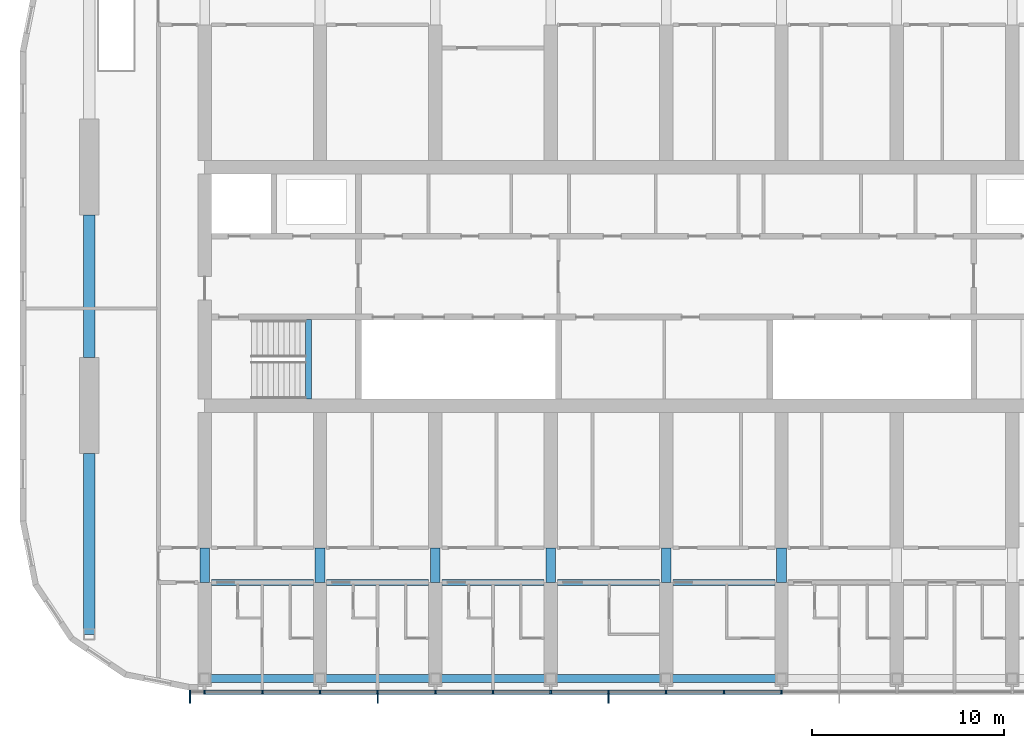
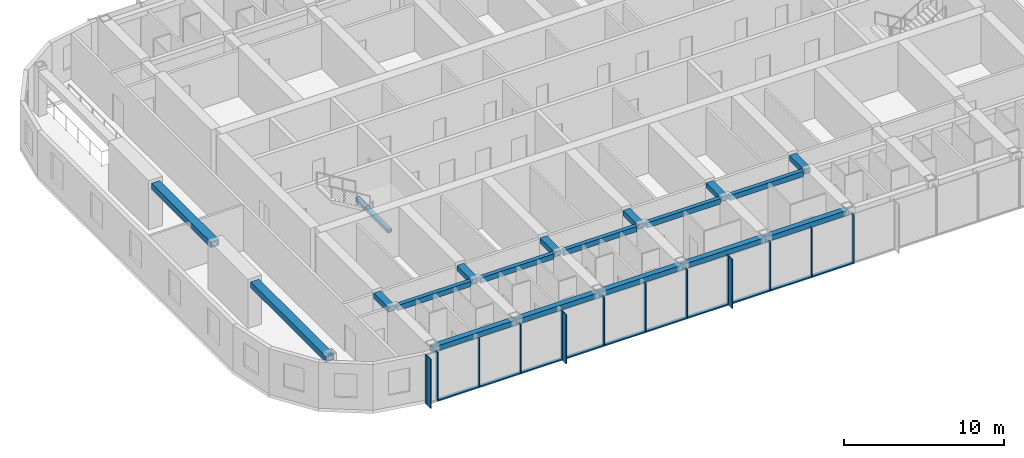
# One storey, part 2 of 24: 25 members, 19 beams, 1 element without a shape of its own.
"""IFC4 building model written with IfcOpenShell, lengths in metres."""

from ifc_helpers import new_model, si_unit, direction, frame, origin, origin_2d, place, context, subcontext, project, spatial, rectangle, hollow_rectangle, extrude, material, material_profile, profile_set, type_object, element, aggregate, save


model = new_model("IFC4")

# Units and contexts
model_context = context("Model", 3, precision=1e-05, world=origin(), true_north=direction((0.0, 1.0)))
body_context = subcontext(model_context, "Body", "Model", "MODEL_VIEW")
ifc_project = project(units=[si_unit("LENGTHUNIT", "METRE"), si_unit("AREAUNIT", "SQUARE_METRE"), si_unit("VOLUMEUNIT", "CUBIC_METRE"), si_unit("PLANEANGLEUNIT", "RADIAN"), si_unit("MASSUNIT", "GRAM", prefix="KILO")], contexts=[model_context])

# Site, building, storey
site_placement = place(None, origin())
site = spatial("IfcSite", under=ifc_project, at=site_placement, CompositionType="ELEMENT")
building_placement = place(site_placement, origin())
building = spatial("IfcBuilding", under=site, at=building_placement, Name="Orbita Commons", CompositionType="ELEMENT")
storey_placement = place(building_placement, frame((0.0, 0.0, 235.300048828125)))
storey = spatial("IfcBuildingStorey", under=building, at=storey_placement, Name="L58", CompositionType="ELEMENT", Elevation=235.300048828125)

# Curtain wall, members
ifc_material_1 = material(Name="Anodised aluminium frame, pale silver", Category="aluminium")
curtain_wall_type = type_object("IfcCurtainWallType", Name="Unitised curtain wall CW-U, full-height vision", PredefinedType="NOTDEFINED", material=ifc_material_1)
curtain_wall_placement = place(storey_placement, origin())
curtain_wall = element("IfcCurtainWall", 1, at=curtain_wall_placement, inside=storey, type_object=curtain_wall_type, Name="Curtain wall south L58", PredefinedType="NOTDEFINED")
ifc_material_2 = material(Name="Anodised aluminium, pale silver", Category="aluminium")
ifc_material_profile_1 = material_profile(ifc_material_2, rectangle(XDim=0.080078125, YDim=0.219970703125, at=origin_2d()), Name="AL 80x220")
ifc_profile_set_1 = profile_set([ifc_material_profile_1], Name="Anodised aluminium, pale silver")
member_type_1 = type_object("IfcMemberType", Name="Curtain wall mullion 80x220", PredefinedType="MULLION", material=ifc_profile_set_1)
member_1_placement = place(storey_placement, frame((17.239990234375, 10.889892578125, -0.25), z_axis=(0.0, 0.0, 1.0), x_axis=(1.0, 0.0, 0.0)))
member_1 = element("IfcMember", 2, at=member_1_placement, type_object=member_type_1, Name="Mullion 1 CW-L58-S", PredefinedType="MULLION", context=body_context, shape_type="SweptSolid", body=[
    extrude(rectangle(XDim=0.080078125, YDim=0.219970703125, at=origin_2d()), origin(), (0.0, 0.0, 1.0), 3.75),
])
member_2_placement = place(storey_placement, frame((18.0, 10.889892578125, -0.25), z_axis=(0.0, 0.0, 1.0), x_axis=(1.0, 0.0, 0.0)))
member_2 = element("IfcMember", 3, at=member_2_placement, type_object=member_type_1, Name="Mullion 2 CW-L58-S", PredefinedType="MULLION", context=body_context, shape_type="SweptSolid", body=[
    extrude(rectangle(XDim=0.080078125, YDim=0.219970703125, at=origin_2d()), origin(), (0.0, 0.0, 1.0), 3.75),
])
member_3_placement = place(storey_placement, frame((21.0, 10.889892578125, -0.25), z_axis=(0.0, 0.0, 1.0), x_axis=(1.0, 0.0, 0.0)))
member_3 = element("IfcMember", 4, at=member_3_placement, type_object=member_type_1, Name="Mullion 3 CW-L58-S", PredefinedType="MULLION", context=body_context, shape_type="SweptSolid", body=[
    extrude(rectangle(XDim=0.080078125, YDim=0.219970703125, at=origin_2d()), origin(), (0.0, 0.0, 1.0), 3.75),
])
member_4_placement = place(storey_placement, frame((24.0, 10.889892578125, -0.25), z_axis=(0.0, 0.0, 1.0), x_axis=(1.0, 0.0, 0.0)))
member_4 = element("IfcMember", 5, at=member_4_placement, type_object=member_type_1, Name="Mullion 4 CW-L58-S", PredefinedType="MULLION", context=body_context, shape_type="SweptSolid", body=[
    extrude(rectangle(XDim=0.080078125, YDim=0.219970703125, at=origin_2d()), origin(), (0.0, 0.0, 1.0), 3.75),
])
member_5_placement = place(storey_placement, frame((27.0, 10.889892578125, -0.25), z_axis=(0.0, 0.0, 1.0), x_axis=(1.0, 0.0, 0.0)))
member_5 = element("IfcMember", 6, at=member_5_placement, type_object=member_type_1, Name="Mullion 5 CW-L58-S", PredefinedType="MULLION", context=body_context, shape_type="SweptSolid", body=[
    extrude(rectangle(XDim=0.080078125, YDim=0.219970703125, at=origin_2d()), origin(), (0.0, 0.0, 1.0), 3.75),
])
member_6_placement = place(storey_placement, frame((30.0, 10.889892578125, -0.25), z_axis=(0.0, 0.0, 1.0), x_axis=(1.0, 0.0, 0.0)))
member_6 = element("IfcMember", 7, at=member_6_placement, type_object=member_type_1, Name="Mullion 6 CW-L58-S", PredefinedType="MULLION", context=body_context, shape_type="SweptSolid", body=[
    extrude(rectangle(XDim=0.080078125, YDim=0.219970703125, at=origin_2d()), origin(), (0.0, 0.0, 1.0), 3.75),
])
member_7_placement = place(storey_placement, frame((33.0, 10.889892578125, -0.25), z_axis=(0.0, 0.0, 1.0), x_axis=(1.0, 0.0, 0.0)))
member_7 = element("IfcMember", 8, at=member_7_placement, type_object=member_type_1, Name="Mullion 7 CW-L58-S", PredefinedType="MULLION", context=body_context, shape_type="SweptSolid", body=[
    extrude(rectangle(XDim=0.080078125, YDim=0.219970703125, at=origin_2d()), origin(), (0.0, 0.0, 1.0), 3.75),
])
member_8_placement = place(storey_placement, frame((36.0, 10.889892578125, -0.25), z_axis=(0.0, 0.0, 1.0), x_axis=(1.0, 0.0, 0.0)))
member_8 = element("IfcMember", 9, at=member_8_placement, type_object=member_type_1, Name="Mullion 8 CW-L58-S", PredefinedType="MULLION", context=body_context, shape_type="SweptSolid", body=[
    extrude(rectangle(XDim=0.080078125, YDim=0.219970703125, at=origin_2d()), origin(), (0.0, 0.0, 1.0), 3.75),
])
member_9_placement = place(storey_placement, frame((39.0, 10.889892578125, -0.25), z_axis=(0.0, 0.0, 1.0), x_axis=(1.0, 0.0, 0.0)))
member_9 = element("IfcMember", 10, at=member_9_placement, type_object=member_type_1, Name="Mullion 9 CW-L58-S", PredefinedType="MULLION", context=body_context, shape_type="SweptSolid", body=[
    extrude(rectangle(XDim=0.080078125, YDim=0.219970703125, at=origin_2d()), origin(), (0.0, 0.0, 1.0), 3.75),
])
member_10_placement = place(storey_placement, frame((42.0, 10.889892578125, -0.25), z_axis=(0.0, 0.0, 1.0), x_axis=(1.0, 0.0, 0.0)))
member_10 = element("IfcMember", 11, at=member_10_placement, type_object=member_type_1, Name="Mullion 10 CW-L58-S", PredefinedType="MULLION", context=body_context, shape_type="SweptSolid", body=[
    extrude(rectangle(XDim=0.080078125, YDim=0.219970703125, at=origin_2d()), origin(), (0.0, 0.0, 1.0), 3.75),
])
member_11_placement = place(storey_placement, frame((45.0, 10.889892578125, -0.25), z_axis=(0.0, 0.0, 1.0), x_axis=(1.0, 0.0, 0.0)))
member_11 = element("IfcMember", 12, at=member_11_placement, type_object=member_type_1, Name="Mullion 11 CW-L58-S", PredefinedType="MULLION", context=body_context, shape_type="SweptSolid", body=[
    extrude(rectangle(XDim=0.080078125, YDim=0.219970703125, at=origin_2d()), origin(), (0.0, 0.0, 1.0), 3.75),
])
member_12_placement = place(storey_placement, frame((48.0, 10.889892578125, -0.25), z_axis=(0.0, 0.0, 1.0), x_axis=(1.0, 0.0, 0.0)))
member_12 = element("IfcMember", 13, at=member_12_placement, type_object=member_type_1, Name="Mullion 12 CW-L58-S", PredefinedType="MULLION", context=body_context, shape_type="SweptSolid", body=[
    extrude(rectangle(XDim=0.080078125, YDim=0.219970703125, at=origin_2d()), origin(), (0.0, 0.0, 1.0), 3.75),
])
ifc_material_3 = material(Name="Anodised aluminium, pale silver", Category="aluminium")
ifc_material_profile_2 = material_profile(ifc_material_3, rectangle(XDim=0.219970703125, YDim=0.10009765625, at=origin_2d()), Name="AL 220x100")
ifc_profile_set_2 = profile_set([ifc_material_profile_2], Name="Anodised aluminium, pale silver")
member_type_2 = type_object("IfcMemberType", Name="Curtain wall stack transom 220x100", PredefinedType="USERDEFINED", material=ifc_profile_set_2)
member_13_placement = place(storey_placement, frame((18.0400390625, 10.889892578125, -0.199951171875), z_axis=(1.0, 0.0, 0.0), x_axis=(0.0, 1.0, 0.0)))
member_13 = element("IfcMember", 14, at=member_13_placement, type_object=member_type_2, Name="Transom 2.1 CW-L58-S", ObjectType="TRANSOM", PredefinedType="USERDEFINED", context=body_context, shape_type="SweptSolid", body=[
    extrude(rectangle(XDim=0.219970703125, YDim=0.10009765625, at=origin_2d()), origin(), (0.0, 0.0, 1.0), 2.919921875),
])
member_14_placement = place(storey_placement, frame((21.0400390625, 10.889892578125, -0.199951171875), z_axis=(1.0, 0.0, 0.0), x_axis=(0.0, 1.0, 0.0)))
member_14 = element("IfcMember", 15, at=member_14_placement, type_object=member_type_2, Name="Transom 3.1 CW-L58-S", ObjectType="TRANSOM", PredefinedType="USERDEFINED", context=body_context, shape_type="SweptSolid", body=[
    extrude(rectangle(XDim=0.219970703125, YDim=0.10009765625, at=origin_2d()), origin(), (0.0, 0.0, 1.0), 2.919921875),
])
member_15_placement = place(storey_placement, frame((24.0400390625, 10.889892578125, -0.199951171875), z_axis=(1.0, 0.0, 0.0), x_axis=(0.0, 1.0, 0.0)))
member_15 = element("IfcMember", 16, at=member_15_placement, type_object=member_type_2, Name="Transom 4.1 CW-L58-S", ObjectType="TRANSOM", PredefinedType="USERDEFINED", context=body_context, shape_type="SweptSolid", body=[
    extrude(rectangle(XDim=0.219970703125, YDim=0.10009765625, at=origin_2d()), origin(), (0.0, 0.0, 1.0), 2.919921875),
])
member_16_placement = place(storey_placement, frame((27.0400390625, 10.889892578125, -0.199951171875), z_axis=(1.0, 0.0, 0.0), x_axis=(0.0, 1.0, 0.0)))
member_16 = element("IfcMember", 17, at=member_16_placement, type_object=member_type_2, Name="Transom 5.1 CW-L58-S", ObjectType="TRANSOM", PredefinedType="USERDEFINED", context=body_context, shape_type="SweptSolid", body=[
    extrude(rectangle(XDim=0.219970703125, YDim=0.10009765625, at=origin_2d()), origin(), (0.0, 0.0, 1.0), 2.919921875),
])
member_17_placement = place(storey_placement, frame((30.0400390625, 10.889892578125, -0.199951171875), z_axis=(1.0, 0.0, 0.0), x_axis=(0.0, 1.0, 0.0)))
member_17 = element("IfcMember", 18, at=member_17_placement, type_object=member_type_2, Name="Transom 6.1 CW-L58-S", ObjectType="TRANSOM", PredefinedType="USERDEFINED", context=body_context, shape_type="SweptSolid", body=[
    extrude(rectangle(XDim=0.219970703125, YDim=0.10009765625, at=origin_2d()), origin(), (0.0, 0.0, 1.0), 2.919921875),
])
member_18_placement = place(storey_placement, frame((33.0400390625, 10.889892578125, -0.199951171875), z_axis=(1.0, 0.0, 0.0), x_axis=(0.0, 1.0, 0.0)))
member_18 = element("IfcMember", 19, at=member_18_placement, type_object=member_type_2, Name="Transom 7.1 CW-L58-S", ObjectType="TRANSOM", PredefinedType="USERDEFINED", context=body_context, shape_type="SweptSolid", body=[
    extrude(rectangle(XDim=0.219970703125, YDim=0.10009765625, at=origin_2d()), origin(), (0.0, 0.0, 1.0), 2.919921875),
])
member_19_placement = place(storey_placement, frame((36.0400390625, 10.889892578125, -0.199951171875), z_axis=(1.0, 0.0, 0.0), x_axis=(0.0, 1.0, 0.0)))
member_19 = element("IfcMember", 20, at=member_19_placement, type_object=member_type_2, Name="Transom 8.1 CW-L58-S", ObjectType="TRANSOM", PredefinedType="USERDEFINED", context=body_context, shape_type="SweptSolid", body=[
    extrude(rectangle(XDim=0.219970703125, YDim=0.10009765625, at=origin_2d()), origin(), (0.0, 0.0, 1.0), 2.919921875),
])
member_20_placement = place(storey_placement, frame((39.0400390625, 10.889892578125, -0.199951171875), z_axis=(1.0, 0.0, 0.0), x_axis=(0.0, 1.0, 0.0)))
member_20 = element("IfcMember", 21, at=member_20_placement, type_object=member_type_2, Name="Transom 9.1 CW-L58-S", ObjectType="TRANSOM", PredefinedType="USERDEFINED", context=body_context, shape_type="SweptSolid", body=[
    extrude(rectangle(XDim=0.219970703125, YDim=0.10009765625, at=origin_2d()), origin(), (0.0, 0.0, 1.0), 2.919921875),
])
member_21_placement = place(storey_placement, frame((42.0400390625, 10.889892578125, -0.199951171875), z_axis=(1.0, 0.0, 0.0), x_axis=(0.0, 1.0, 0.0)))
member_21 = element("IfcMember", 22, at=member_21_placement, type_object=member_type_2, Name="Transom 10.1 CW-L58-S", ObjectType="TRANSOM", PredefinedType="USERDEFINED", context=body_context, shape_type="SweptSolid", body=[
    extrude(rectangle(XDim=0.219970703125, YDim=0.10009765625, at=origin_2d()), origin(), (0.0, 0.0, 1.0), 2.919921875),
])
member_22_placement = place(storey_placement, frame((45.0400390625, 10.889892578125, -0.199951171875), z_axis=(1.0, 0.0, 0.0), x_axis=(0.0, 1.0, 0.0)))
member_22 = element("IfcMember", 23, at=member_22_placement, type_object=member_type_2, Name="Transom 11.1 CW-L58-S", ObjectType="TRANSOM", PredefinedType="USERDEFINED", context=body_context, shape_type="SweptSolid", body=[
    extrude(rectangle(XDim=0.219970703125, YDim=0.10009765625, at=origin_2d()), origin(), (0.0, 0.0, 1.0), 2.919921875),
])

# Beams
ifc_material_4 = material(Name="Steel ASTM A572 Gr 50 welded plate", Category="steel")
ifc_material_profile_3 = material_profile(ifc_material_4, hollow_rectangle(XDim=0.300048828125, YDim=0.25, WallThickness=0.02490234375, at=origin_2d()), Name="BOX 250x300x25")
ifc_profile_set_3 = profile_set([ifc_material_profile_3], Name="Steel ASTM A572 Gr 50 welded plate")
beam_type_1 = type_object("IfcBeamType", Name="Stair landing beam steel BOX 250x300x25", PredefinedType="BEAM", material=ifc_profile_set_3)
beam_1_placement = place(storey_placement, frame((23.39990234375, 26.135009765625, 1.550048828125), z_axis=(0.0, 1.0, 0.0), x_axis=(-1.0, 0.0, 0.0)))
element("IfcBeam", 24, at=beam_1_placement, inside=storey, type_object=beam_type_1, Name="Stair S1 landing beam L58 1", PredefinedType="BEAM", context=body_context, shape_type="SweptSolid", body=[
    extrude(hollow_rectangle(XDim=0.300048828125, YDim=0.25, WallThickness=0.02490234375, at=origin_2d()), origin(), (0.0, 0.0, 1.0), 4.1298828125),
])
ifc_material_5 = material(Name="Steel ASTM A572 Gr 50 welded plate", Category="steel")
ifc_material_profile_4 = material_profile(ifc_material_5, hollow_rectangle(XDim=0.300048828125, YDim=0.39990234375, WallThickness=0.0400390625, at=origin_2d()), Name="BOX 400x300x40")
ifc_profile_set_4 = profile_set([ifc_material_profile_4], Name="Steel ASTM A572 Gr 50 welded plate")
beam_type_2 = type_object("IfcBeamType", Name="Steel corridor link BOX 400x300x40", PredefinedType="BEAM", material=ifc_profile_set_4)
for number, where, z_axis, x_axis, name in (
    (25, (18.35009765625, 16.60009765625, 3.300048828125), (1.0, 0.0, 0.0), (0.0, 1.0, 0.0), "Corridor beam SA 4-5 L58"),
    (26, (24.35009765625, 16.60009765625, 3.300048828125), (1.0, 0.0, 0.0), (0.0, 1.0, 0.0), "Corridor beam SA 5-6 L58"),
    (27, (30.35009765625, 16.60009765625, 3.300048828125), (1.0, 0.0, 0.0), (0.0, 1.0, 0.0), "Corridor beam SA 6-7 L58"),
    (28, (36.35009765625, 16.60009765625, 3.300048828125), (1.0, 0.0, 0.0), (0.0, 1.0, 0.0), "Corridor beam SA 7-8 L58"),
    (29, (42.35009765625, 16.60009765625, 3.300048828125), (1.0, 0.0, 0.0), (0.0, 1.0, 0.0), "Corridor beam SA 8-9 L58"),
):
    element("IfcBeam", number, at=place(storey_placement, frame(where, z_axis=z_axis, x_axis=x_axis)), inside=storey, type_object=beam_type_2, Name=name, PredefinedType="BEAM", context=body_context, shape_type="SweptSolid", body=[
        extrude(hollow_rectangle(XDim=0.300048828125, YDim=0.39990234375, WallThickness=0.0400390625, at=origin_2d()), origin(), (0.0, 0.0, 1.0), 5.2998046875),
    ])
ifc_material_6 = material(Name="Steel ASTM A572 Gr 50 welded plate", Category="steel")
ifc_material_profile_5 = material_profile(ifc_material_6, hollow_rectangle(XDim=0.5, YDim=0.39990234375, WallThickness=0.050048828125, at=origin_2d()), Name="BOX 400x500x50")
ifc_profile_set_5 = profile_set([ifc_material_profile_5], Name="Steel ASTM A572 Gr 50 welded plate")
beam_type_3 = type_object("IfcBeamType", Name="Steel coupling link BOX 400x500x50", PredefinedType="LINTEL", material=ifc_profile_set_5)
for number, where, z_axis, x_axis, name in (
    (30, (18.0, 16.60009765625, 3.300048828125), (0.0, 1.0, 0.0), (-1.0, 0.0, 0.0), "Coupling beam 4 south L58"),
    (31, (24.0, 16.60009765625, 3.300048828125), (0.0, 1.0, 0.0), (-1.0, 0.0, 0.0), "Coupling beam 5 south L58"),
    (32, (30.0, 16.60009765625, 3.300048828125), (0.0, 1.0, 0.0), (-1.0, 0.0, 0.0), "Coupling beam 6 south L58"),
    (33, (36.0, 16.60009765625, 3.300048828125), (0.0, 1.0, 0.0), (-1.0, 0.0, 0.0), "Coupling beam 7 south L58"),
    (34, (42.0, 16.60009765625, 3.300048828125), (0.0, 1.0, 0.0), (-1.0, 0.0, 0.0), "Coupling beam 8 south L58"),
    (35, (48.0, 16.60009765625, 3.300048828125), (0.0, 1.0, 0.0), (-1.0, 0.0, 0.0), "Coupling beam 9 south L58"),
):
    element("IfcBeam", number, at=place(storey_placement, frame(where, z_axis=z_axis, x_axis=x_axis)), inside=storey, type_object=beam_type_3, Name=name, PredefinedType="LINTEL", context=body_context, shape_type="SweptSolid", body=[
        extrude(hollow_rectangle(XDim=0.5, YDim=0.39990234375, WallThickness=0.050048828125, at=origin_2d()), origin(), (0.0, 0.0, 1.0), 1.7998046875),
    ])
ifc_material_7 = material(Name="Steel ASTM A572 Gr 50 welded plate", Category="steel")
ifc_material_profile_6 = material_profile(ifc_material_7, hollow_rectangle(XDim=0.60009765625, YDim=0.449951171875, WallThickness=0.06005859375, at=origin_2d()), Name="BOX 450x600x60")
ifc_profile_set_6 = profile_set([ifc_material_profile_6], Name="Steel ASTM A572 Gr 50 welded plate")
beam_type_4 = type_object("IfcBeamType", Name="Steel end frame link BOX 450x600x60", PredefinedType="BEAM", material=ifc_profile_set_6)
beam_2_placement = place(storey_placement, frame((12.0, 13.89990234375, 3.27490234375), z_axis=(0.0, 1.0, 0.0), x_axis=(-1.0, 0.0, 0.0)))
element("IfcBeam", 36, at=beam_2_placement, inside=storey, type_object=beam_type_4, Name="End frame beam 3 B-C L58", PredefinedType="BEAM", context=body_context, shape_type="SweptSolid", body=[
    extrude(hollow_rectangle(XDim=0.60009765625, YDim=0.449951171875, WallThickness=0.06005859375, at=origin_2d()), origin(), (0.0, 0.0, 1.0), 9.400146484375),
])
beam_3_placement = place(storey_placement, frame((12.0, 28.300048828125, 3.27490234375), z_axis=(0.0, 1.0, 0.0), x_axis=(-1.0, 0.0, 0.0)))
element("IfcBeam", 37, at=beam_3_placement, inside=storey, type_object=beam_type_4, Name="End frame beam 3 C-D L58", PredefinedType="BEAM", context=body_context, shape_type="SweptSolid", body=[
    extrude(hollow_rectangle(XDim=0.60009765625, YDim=0.449951171875, WallThickness=0.06005859375, at=origin_2d()), origin(), (0.0, 0.0, 1.0), 7.39990234375),
])
ifc_material_8 = material(Name="Steel ASTM A572 Gr 50 welded plate", Category="steel")
ifc_material_profile_7 = material_profile(ifc_material_8, hollow_rectangle(XDim=0.39990234375, YDim=0.39990234375, WallThickness=0.0400390625, at=origin_2d()), Name="BOX 400x400x40")
ifc_profile_set_7 = profile_set([ifc_material_profile_7], Name="Steel ASTM A572 Gr 50 welded plate")
beam_type_5 = type_object("IfcBeamType", Name="Steel spandrel BOX 400x400x40", PredefinedType="SPANDREL", material=ifc_profile_set_7)
for number, where, z_axis, x_axis, name in (
    (38, (18.0, 11.60009765625, 3.300048828125), (1.0, 0.0, 0.0), (0.0, 1.0, 0.0), "Spandrel beam B 4-5 L58"),
    (39, (24.0, 11.60009765625, 3.300048828125), (1.0, 0.0, 0.0), (0.0, 1.0, 0.0), "Spandrel beam B 5-6 L58"),
    (40, (30.0, 11.60009765625, 3.300048828125), (1.0, 0.0, 0.0), (0.0, 1.0, 0.0), "Spandrel beam B 6-7 L58"),
    (41, (36.0, 11.60009765625, 3.300048828125), (1.0, 0.0, 0.0), (0.0, 1.0, 0.0), "Spandrel beam B 7-8 L58"),
    (42, (42.0, 11.60009765625, 3.300048828125), (1.0, 0.0, 0.0), (0.0, 1.0, 0.0), "Spandrel beam B 8-9 L58"),
):
    element("IfcBeam", number, at=place(storey_placement, frame(where, z_axis=z_axis, x_axis=x_axis)), inside=storey, type_object=beam_type_5, Name=name, PredefinedType="SPANDREL", context=body_context, shape_type="SweptSolid", body=[
        extrude(hollow_rectangle(XDim=0.39990234375, YDim=0.39990234375, WallThickness=0.0400390625, at=origin_2d()), origin(), (0.0, 0.0, 1.0), 6.0),
    ])

# Member
ifc_material_9 = material(Name="Anodised aluminium, pale silver", Category="aluminium")
ifc_material_profile_8 = material_profile(ifc_material_9, rectangle(XDim=0.06005859375, YDim=0.449951171875, at=origin_2d()), Name="FIN 60x450")
ifc_profile_set_8 = profile_set([ifc_material_profile_8], Name="Anodised aluminium, pale silver")
member_type_3 = type_object("IfcMemberType", Name="Vertical fin 60x450 pale aluminium", PredefinedType="USERDEFINED", material=ifc_profile_set_8)
member_23_placement = place(storey_placement, frame((17.239990234375, 10.554931640625, -0.25), z_axis=(0.0, 0.0, 1.0), x_axis=(1.0, 0.0, 0.0)))
member_23 = element("IfcMember", 43, at=member_23_placement, type_object=member_type_3, Name="Fin 1 CW-L58-S", ObjectType="FIN", PredefinedType="USERDEFINED", context=body_context, shape_type="SweptSolid", body=[
    extrude(rectangle(XDim=0.06005859375, YDim=0.449951171875, at=origin_2d()), origin(), (0.0, 0.0, 1.0), 3.75),
])

member_24_placement = place(storey_placement, frame((27.0, 10.554931640625, -0.25), z_axis=(0.0, 0.0, 1.0), x_axis=(1.0, 0.0, 0.0)))
member_24 = element("IfcMember", 44, at=member_24_placement, type_object=member_type_3, Name="Fin 5 CW-L58-S", ObjectType="FIN", PredefinedType="USERDEFINED", context=body_context, shape_type="SweptSolid", body=[
    extrude(rectangle(XDim=0.06005859375, YDim=0.449951171875, at=origin_2d()), origin(), (0.0, 0.0, 1.0), 3.75),
])

member_25_placement = place(storey_placement, frame((39.0, 10.554931640625, -0.25), z_axis=(0.0, 0.0, 1.0), x_axis=(1.0, 0.0, 0.0)))
member_25 = element("IfcMember", 45, at=member_25_placement, type_object=member_type_3, Name="Fin 9 CW-L58-S", ObjectType="FIN", PredefinedType="USERDEFINED", context=body_context, shape_type="SweptSolid", body=[
    extrude(rectangle(XDim=0.06005859375, YDim=0.449951171875, at=origin_2d()), origin(), (0.0, 0.0, 1.0), 3.75),
])

aggregate(curtain_wall, [member_1, member_23, member_2, member_3, member_4, member_5, member_24, member_6, member_7, member_8, member_9, member_25, member_10, member_11, member_12, member_13, member_14, member_15, member_16, member_17, member_18, member_19, member_20, member_21, member_22])

save(model, "model.ifc")
